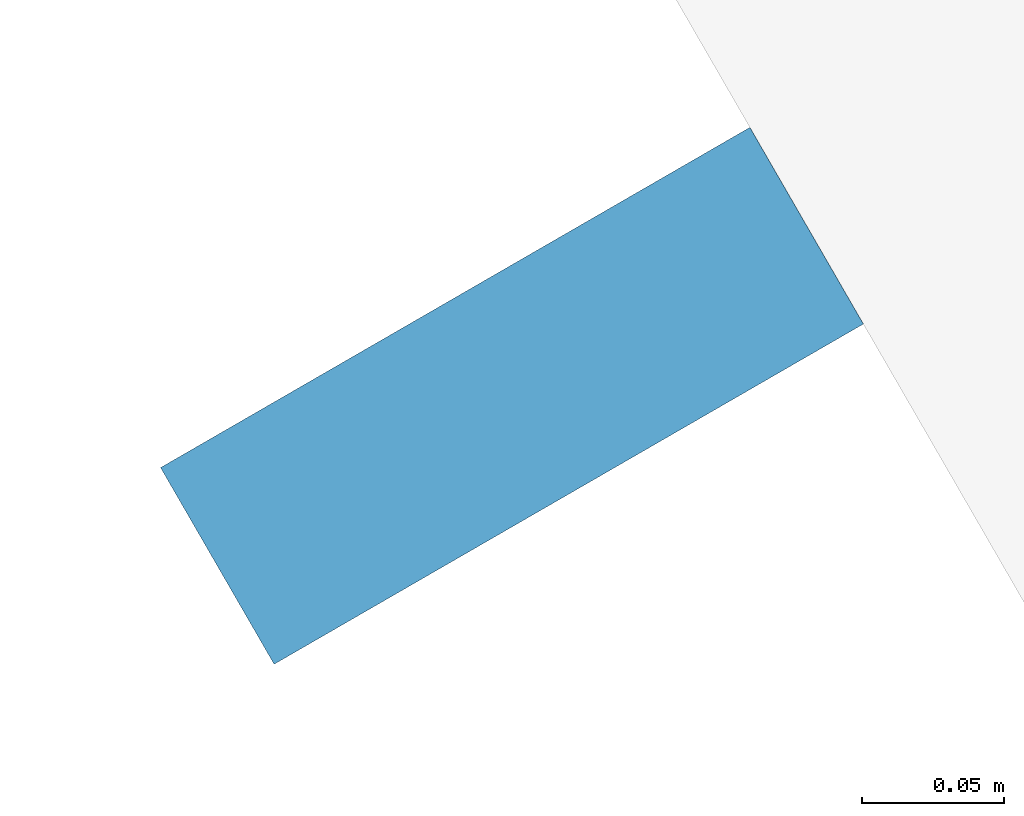
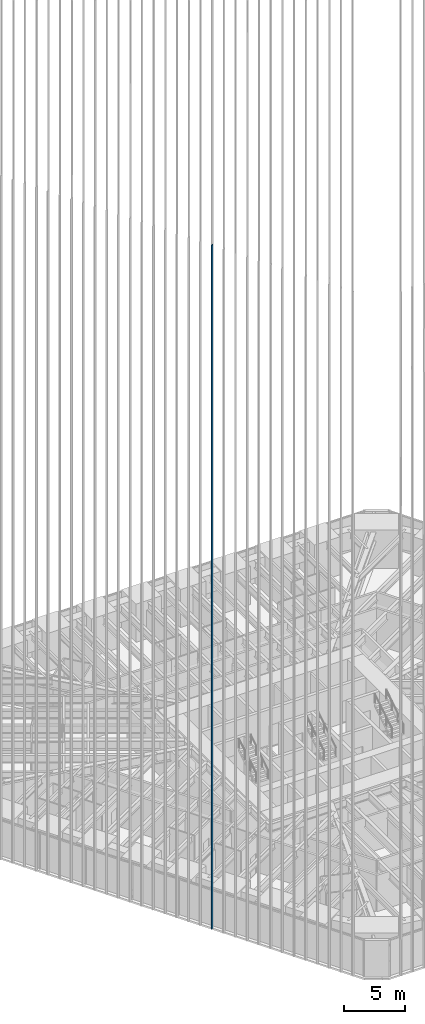
# One storey, part 13 of 256: 1 member, 1 element without a shape of its own.
"""IFC4 building model written with IfcOpenShell, lengths in metres."""

from ifc_helpers import new_model, si_unit, direction, frame, origin, origin_2d, place, context, subcontext, project, spatial, rectangle, extrude, material, material_profile, profile_set, type_object, element, aggregate, save


model = new_model("IFC4")

# Units and contexts
model_context = context("Model", 3, precision=1e-05, world=origin(), true_north=direction((0.0, 1.0)))
body_context = subcontext(model_context, "Body", "Model", "MODEL_VIEW")
ifc_project = project(units=[si_unit("LENGTHUNIT", "METRE"), si_unit("AREAUNIT", "SQUARE_METRE"), si_unit("VOLUMEUNIT", "CUBIC_METRE"), si_unit("PLANEANGLEUNIT", "RADIAN"), si_unit("MASSUNIT", "GRAM", prefix="KILO")], contexts=[model_context])

# Site, building, storey
site_placement = place(None, origin())
site = spatial("IfcSite", under=ifc_project, at=site_placement, CompositionType="ELEMENT")
building_placement = place(site_placement, origin())
building = spatial("IfcBuilding", under=site, at=building_placement, Name="Sandreach Pilgrim Tower", CompositionType="ELEMENT")
storey_placement = place(building_placement, frame((0.0, 0.0, 23.0)))
storey = spatial("IfcBuildingStorey", under=building, at=storey_placement, Name="L04", CompositionType="ELEMENT", Elevation=23.0)

# Curtain wall, member
ifc_material_1 = material(Name="Aluminium framed curtain wall", Category="aluminium")
curtain_wall_type = type_object("IfcCurtainWallType", Name="Hostel tower curtain wall", PredefinedType="NOTDEFINED", material=ifc_material_1)
curtain_wall_placement = place(storey_placement, origin())
curtain_wall = element("IfcCurtainWall", 1, at=curtain_wall_placement, inside=storey, type_object=curtain_wall_type, Name="CW-1 L04 SW", PredefinedType="NOTDEFINED")
ifc_material_2 = material(Name="Extruded terracotta on aluminium core", Category="masonry")
ifc_material_profile = material_profile(ifc_material_2, rectangle(XDim=0.080078125, YDim=0.239990234375, at=origin_2d()), Name="TBW 80X240")
ifc_profile_set = profile_set([ifc_material_profile], Name="Extruded terracotta on aluminium core")
member_type = type_object("IfcMemberType", Name="Terracotta baguette west", PredefinedType="USERDEFINED", material=ifc_profile_set)
member_placement = place(storey_placement, frame((-18.337890625, -16.97509765625, 0.0), z_axis=(0.0, 0.0, 1.0), x_axis=(-0.5, 0.866025403784, 0.0)))
member = element("IfcMember", 2, at=member_placement, type_object=member_type, Name="Baguette Z1 SW13", ObjectType="BAGUETTE", PredefinedType="USERDEFINED", context=body_context, shape_type="SweptSolid", body=[
    extrude(rectangle(XDim=0.080078125, YDim=0.239990234375, at=origin_2d()), origin(), (0.0, 0.0, 1.0), 68.239990234375),
])
aggregate(curtain_wall, [member])

save(model, "model.ifc")
